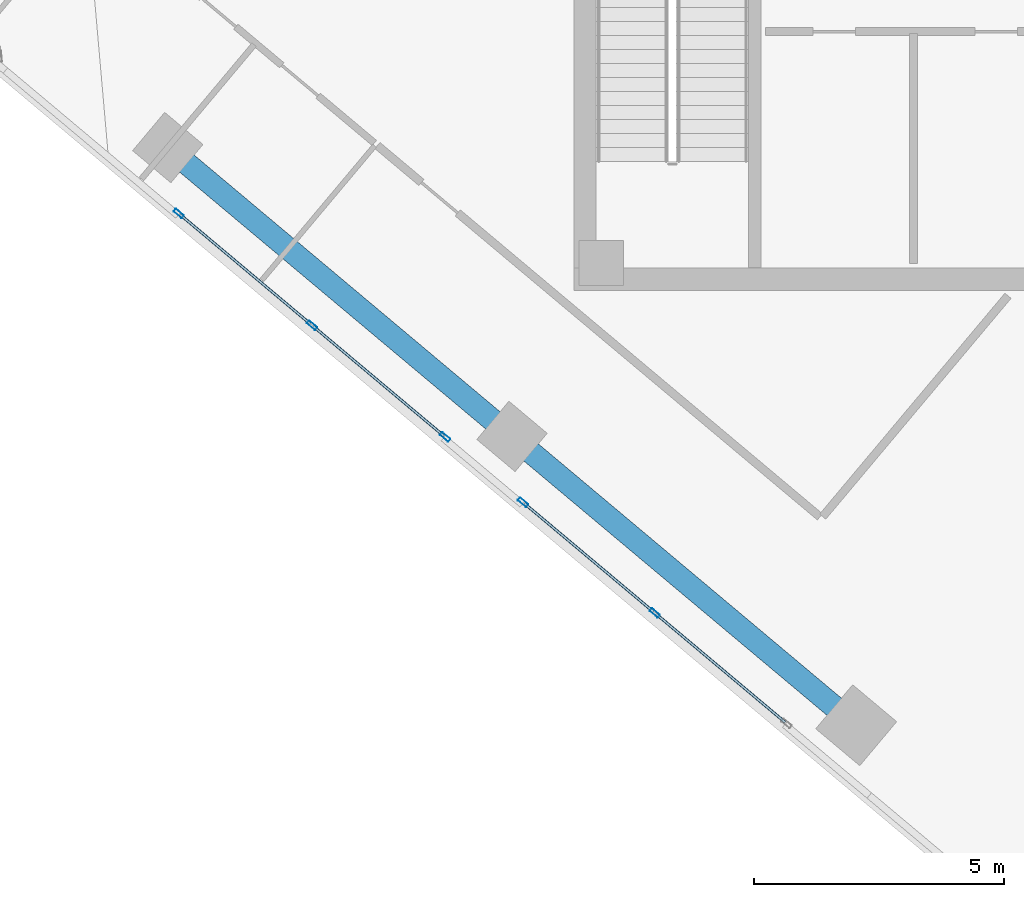
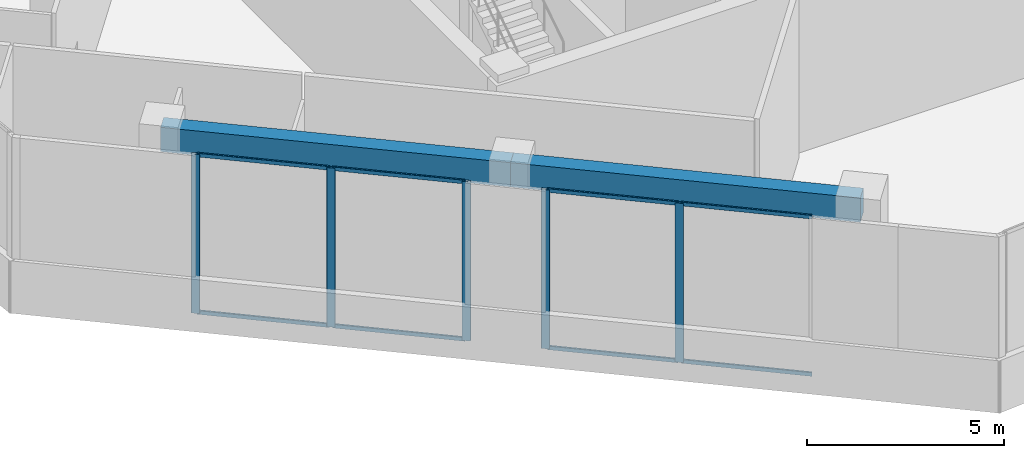
# One storey, part 2 of 17: 13 members, 2 beams, 2 elements without a shape of their own.
"""IFC4 building model written with IfcOpenShell, lengths in metres."""

from ifc_helpers import new_model, si_unit, direction, frame, origin, origin_2d, place, context, subcontext, project, spatial, rectangle, hollow_rectangle, extrude, source, transform, mapped, material, material_profile, profile_set, type_object, element, aggregate, save


model = new_model("IFC4")

# Units and contexts
model_context = context("Model", 3, precision=1e-05, world=origin(), true_north=direction((0.0, 1.0)))
body_context = subcontext(model_context, "Body", "Model", "MODEL_VIEW")
ifc_project = project(units=[si_unit("LENGTHUNIT", "METRE"), si_unit("AREAUNIT", "SQUARE_METRE"), si_unit("VOLUMEUNIT", "CUBIC_METRE"), si_unit("PLANEANGLEUNIT", "RADIAN"), si_unit("MASSUNIT", "GRAM", prefix="KILO")], contexts=[model_context])

# Site, building, storey
site_placement = place(None, origin())
site = spatial("IfcSite", under=ifc_project, at=site_placement, CompositionType="ELEMENT")
building_placement = place(site_placement, origin())
building = spatial("IfcBuilding", under=site, at=building_placement, Name="Torre Montelarca", CompositionType="ELEMENT")
storey_placement = place(building_placement, frame((0.0, 0.0, 215.199951171875)))
storey = spatial("IfcBuildingStorey", under=building, at=storey_placement, Name="L48", CompositionType="ELEMENT", Elevation=215.199951171875)

# Beams
ifc_material_1 = material(Name="Concrete C55/67", Category="concrete")
ifc_material_profile_1 = material_profile(ifc_material_1, rectangle(XDim=0.449951171875, YDim=0.75, at=origin_2d()), Name="RCB450X750", Category="concrete")
ifc_profile_set_1 = profile_set([ifc_material_profile_1], Name="Concrete C55/67")
beam_type = type_object("IfcBeamType", Name="BM-SP-RC750-EXT", PredefinedType="SPANDREL", material=ifc_profile_set_1)
shared_shape_1 = source(origin(), body_context, "Body", "SweptSolid", [
    extrude(rectangle(XDim=0.449951171875, YDim=0.75, at=origin_2d()), origin(), (0.0, 0.0, 1.0), 8.999755859375),
])
beam_1_placement = place(storey_placement, frame((7.762939453125, 21.07373046875, 4.78515625), z_axis=(0.766048911017, -0.642782285015, 0.0), x_axis=(0.642782285015, 0.766048911017, 0.0)))
element("IfcBeam", 1, at=beam_1_placement, inside=storey, type_object=beam_type, Name="L48 Grid Girder X 18.0-27.0 at Y=14.8", PredefinedType="SPANDREL", context=body_context, shape_type="MappedRepresentation", body=[
    mapped(shared_shape_1, transform((0.0, 0.0, 0.0), scale=1.0)),
])
shared_shape_2 = source(origin(), body_context, "Body", "SweptSolid", [
    extrude(rectangle(XDim=0.449951171875, YDim=0.75, at=origin_2d()), origin(), (0.0, 0.0, 1.0), 9.000244140625),
])
beam_2_placement = place(storey_placement, frame((0.868408203125, 26.85888671875, 4.78515625), z_axis=(0.766046761698, -0.642784846501, 0.0), x_axis=(0.642784846501, 0.766046761698, 0.0)))
element("IfcBeam", 2, at=beam_2_placement, inside=storey, type_object=beam_type, Name="L48 Grid Girder X 9.0-18.0 at Y=14.8", PredefinedType="SPANDREL", context=body_context, shape_type="MappedRepresentation", body=[
    mapped(shared_shape_2, transform((0.0, 0.0, 0.0), scale=1.0)),
])

# Curtain wall, members
ifc_material_2 = material(Name="Insulated low-E laminated glass", Category="glass")
curtain_wall_type = type_object("IfcCurtainWallType", Name="CW-SYS-Z3", PredefinedType="USERDEFINED", material=ifc_material_2)
curtain_wall_1_placement = place(storey_placement, origin())
curtain_wall_1 = element("IfcCurtainWall", 3, at=curtain_wall_1_placement, inside=storey, type_object=curtain_wall_type, Name="L48 Curtain Wall Run CW-T3-L48-E01-B1", ObjectType="UNITISED GLAZING", PredefinedType="USERDEFINED")
ifc_material_3 = material(Name="Anodised aluminium AA 6063-T6", Category="aluminium")
ifc_material_profile_2 = material_profile(ifc_material_3, hollow_rectangle(XDim=0.074951171875, YDim=0.219970703125, WallThickness=0.0048828125, InnerFilletRadius=0.0048828125, OuterFilletRadius=0.010009765625, at=origin_2d()), Name="ALU75X220X5", Category="aluminium")
ifc_profile_set_2 = profile_set([ifc_material_profile_2], Name="Anodised aluminium AA 6063-T6")
member_type_1 = type_object("IfcMemberType", Name="CWM-ALU220", PredefinedType="MULLION", material=ifc_profile_set_2)
shared_shape_3 = source(origin(), body_context, "Body", "SweptSolid", [
    extrude(hollow_rectangle(XDim=0.074951171875, YDim=0.219970703125, WallThickness=0.0048828125, InnerFilletRadius=0.0048828125, OuterFilletRadius=0.010009765625, at=origin_2d()), origin(), (0.0, 0.0, 1.0), 4.920166015625),
])
member_1_placement = place(storey_placement, frame((1.088623046875, 25.538330078125, 0.0), z_axis=(0.0, 0.0, 1.0), x_axis=(0.642789243392, 0.766043072274, 0.0)))
member_1 = element("IfcMember", 4, at=member_1_placement, type_object=member_type_1, Name="CW mullion 1", PredefinedType="MULLION", context=body_context, shape_type="MappedRepresentation", body=[
    mapped(shared_shape_3, transform((0.0, 0.0, 0.0), scale=1.0)),
])
member_2_placement = place(storey_placement, frame((3.75634765625, 23.2998046875, 0.0), z_axis=(0.0, 0.0, 1.0), x_axis=(0.642789243392, 0.766043072274, 0.0)))
member_2 = element("IfcMember", 5, at=member_2_placement, type_object=member_type_1, Name="CW mullion 2", PredefinedType="MULLION", context=body_context, shape_type="MappedRepresentation", body=[
    mapped(shared_shape_3, transform((0.0, 0.0, 0.0), scale=1.0)),
])
member_3_placement = place(storey_placement, frame((6.424072265625, 21.0615234375, 0.0), z_axis=(0.0, 0.0, 1.0), x_axis=(0.642789243392, 0.766043072274, 0.0)))
member_3 = element("IfcMember", 6, at=member_3_placement, type_object=member_type_1, Name="CW mullion 3", PredefinedType="MULLION", context=body_context, shape_type="MappedRepresentation", body=[
    mapped(shared_shape_3, transform((0.0, 0.0, 0.0), scale=1.0)),
])

curtain_wall_2_placement = place(storey_placement, origin())
curtain_wall_2 = element("IfcCurtainWall", 7, at=curtain_wall_2_placement, inside=storey, type_object=curtain_wall_type, Name="L48 Curtain Wall Run CW-T3-L48-E01-B2", ObjectType="UNITISED GLAZING", PredefinedType="USERDEFINED")
member_4_placement = place(storey_placement, frame((7.983154296875, 19.753173828125, 0.0), z_axis=(0.0, 0.0, 1.0), x_axis=(0.642786254716, 0.766045580072, 0.0)))
member_4 = element("IfcMember", 8, at=member_4_placement, type_object=member_type_1, Name="CW mullion 1", PredefinedType="MULLION", context=body_context, shape_type="MappedRepresentation", body=[
    mapped(shared_shape_3, transform((0.0, 0.0, 0.0), scale=1.0)),
])
member_5_placement = place(storey_placement, frame((10.6220703125, 17.538818359375, 0.0), z_axis=(0.0, 0.0, 1.0), x_axis=(0.642786254716, 0.766045580072, 0.0)))
member_5 = element("IfcMember", 9, at=member_5_placement, type_object=member_type_1, Name="CW mullion 2", PredefinedType="MULLION", context=body_context, shape_type="MappedRepresentation", body=[
    mapped(shared_shape_3, transform((0.0, 0.0, 0.0), scale=1.0)),
])

# Member
ifc_material_profile_3 = material_profile(ifc_material_3, hollow_rectangle(XDim=0.054931640625, YDim=0.1201171875, WallThickness=0.00341796875, InnerFilletRadius=0.00341796875, OuterFilletRadius=0.007080078125, at=origin_2d()), Name="ALU55X120X3.5", Category="aluminium")
ifc_profile_set_3 = profile_set([ifc_material_profile_3], Name="Anodised aluminium AA 6063-T6")
member_type_2 = type_object("IfcMemberType", Name="CWT-ALU120", PredefinedType="USERDEFINED", material=ifc_profile_set_3)
shared_shape_4 = source(origin(), body_context, "Body", "SweptSolid", [
    extrude(hollow_rectangle(XDim=0.054931640625, YDim=0.1201171875, WallThickness=0.00341796875, InnerFilletRadius=0.00341796875, OuterFilletRadius=0.007080078125, at=origin_2d()), origin(), (0.0, 0.0, 1.0), 3.40771484375),
])
member_6_placement = place(storey_placement, frame((1.117431640625, 25.514404296875, 0.027587890625), z_axis=(0.766032210407, -0.642802187783, 0.0), x_axis=(0.642802187783, 0.766032210407, 0.0)))
member_6 = element("IfcMember", 10, at=member_6_placement, type_object=member_type_2, Name="CW transom 1.1", ObjectType="TRANSOM", PredefinedType="USERDEFINED", context=body_context, shape_type="MappedRepresentation", body=[
    mapped(shared_shape_4, transform((0.0, 0.0, 0.0), scale=1.0)),
])

member_7_placement = place(storey_placement, frame((1.117431640625, 25.514404296875, 4.892578125), z_axis=(0.766032210407, -0.642802187783, 0.0), x_axis=(0.642802187783, 0.766032210407, 0.0)))
member_7 = element("IfcMember", 11, at=member_7_placement, type_object=member_type_2, Name="CW transom 1.2", ObjectType="TRANSOM", PredefinedType="USERDEFINED", context=body_context, shape_type="MappedRepresentation", body=[
    mapped(shared_shape_4, transform((0.0, 0.0, 0.0), scale=1.0)),
])

member_8_placement = place(storey_placement, frame((3.78515625, 23.27587890625, 0.027587890625), z_axis=(0.766032210407, -0.642802187783, 0.0), x_axis=(0.642802187783, 0.766032210407, 0.0)))
member_8 = element("IfcMember", 12, at=member_8_placement, type_object=member_type_2, Name="CW transom 2.1", ObjectType="TRANSOM", PredefinedType="USERDEFINED", context=body_context, shape_type="MappedRepresentation", body=[
    mapped(shared_shape_4, transform((0.0, 0.0, 0.0), scale=1.0)),
])

member_9_placement = place(storey_placement, frame((3.78515625, 23.27587890625, 4.892578125), z_axis=(0.766032210407, -0.642802187783, 0.0), x_axis=(0.642802187783, 0.766032210407, 0.0)))
member_9 = element("IfcMember", 13, at=member_9_placement, type_object=member_type_2, Name="CW transom 2.2", ObjectType="TRANSOM", PredefinedType="USERDEFINED", context=body_context, shape_type="MappedRepresentation", body=[
    mapped(shared_shape_4, transform((0.0, 0.0, 0.0), scale=1.0)),
])

aggregate(curtain_wall_1, [member_1, member_2, member_3, member_6, member_7, member_8, member_9])

shared_shape_5 = source(origin(), body_context, "Body", "SweptSolid", [
    extrude(hollow_rectangle(XDim=0.054931640625, YDim=0.1201171875, WallThickness=0.00341796875, InnerFilletRadius=0.00341796875, OuterFilletRadius=0.007080078125, at=origin_2d()), origin(), (0.0, 0.0, 1.0), 3.3701171875),
])
member_10_placement = place(storey_placement, frame((8.011962890625, 19.729248046875, 0.027587890625), z_axis=(0.766031583171, -0.642802935264, 0.0), x_axis=(0.642802935264, 0.766031583171, 0.0)))
member_10 = element("IfcMember", 14, at=member_10_placement, type_object=member_type_2, Name="CW transom 1.1", ObjectType="TRANSOM", PredefinedType="USERDEFINED", context=body_context, shape_type="MappedRepresentation", body=[
    mapped(shared_shape_5, transform((0.0, 0.0, 0.0), scale=1.0)),
])

member_11_placement = place(storey_placement, frame((8.011962890625, 19.729248046875, 4.892578125), z_axis=(0.766031583171, -0.642802935264, 0.0), x_axis=(0.642802935264, 0.766031583171, 0.0)))
member_11 = element("IfcMember", 15, at=member_11_placement, type_object=member_type_2, Name="CW transom 1.2", ObjectType="TRANSOM", PredefinedType="USERDEFINED", context=body_context, shape_type="MappedRepresentation", body=[
    mapped(shared_shape_5, transform((0.0, 0.0, 0.0), scale=1.0)),
])

member_12_placement = place(storey_placement, frame((10.65087890625, 17.514892578125, 0.027587890625), z_axis=(0.766031583171, -0.642802935264, 0.0), x_axis=(0.642802935264, 0.766031583171, 0.0)))
member_12 = element("IfcMember", 16, at=member_12_placement, type_object=member_type_2, Name="CW transom 2.1", ObjectType="TRANSOM", PredefinedType="USERDEFINED", context=body_context, shape_type="MappedRepresentation", body=[
    mapped(shared_shape_5, transform((0.0, 0.0, 0.0), scale=1.0)),
])

member_13_placement = place(storey_placement, frame((10.65087890625, 17.514892578125, 4.892578125), z_axis=(0.766031583171, -0.642802935264, 0.0), x_axis=(0.642802935264, 0.766031583171, 0.0)))
member_13 = element("IfcMember", 17, at=member_13_placement, type_object=member_type_2, Name="CW transom 2.2", ObjectType="TRANSOM", PredefinedType="USERDEFINED", context=body_context, shape_type="MappedRepresentation", body=[
    mapped(shared_shape_5, transform((0.0, 0.0, 0.0), scale=1.0)),
])

aggregate(curtain_wall_2, [member_4, member_5, member_10, member_11, member_12, member_13])

save(model, "model.ifc")
